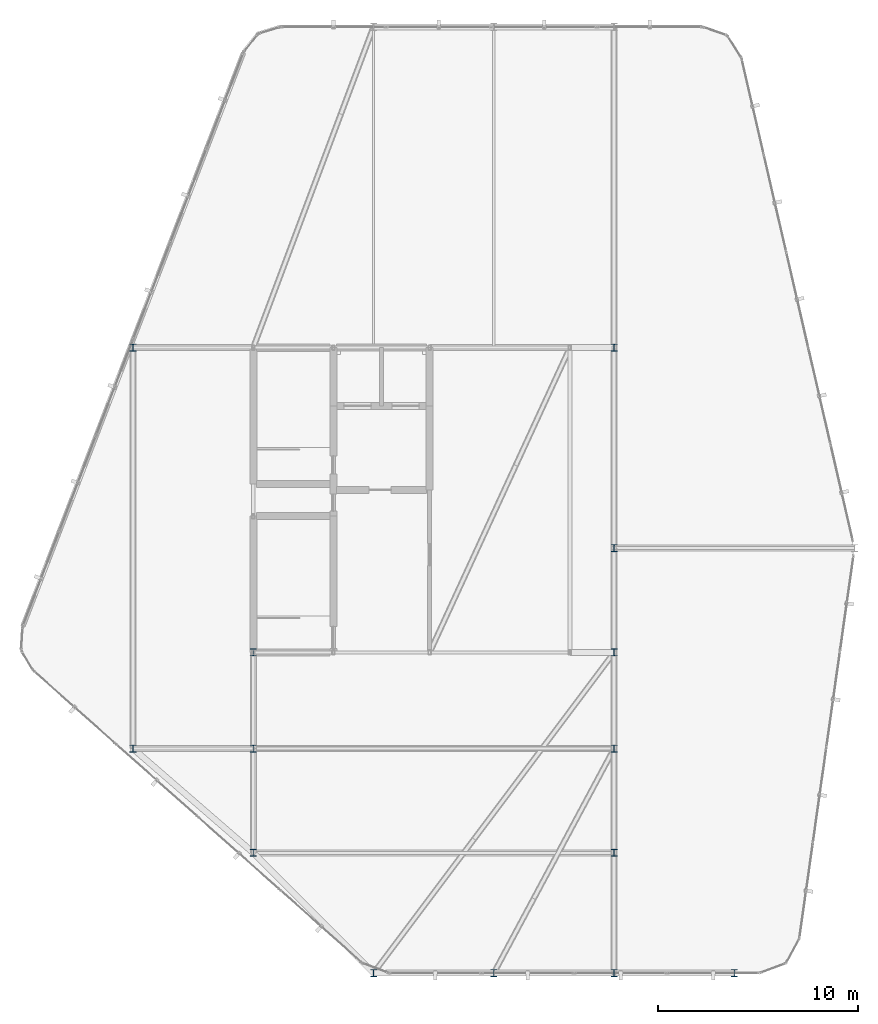
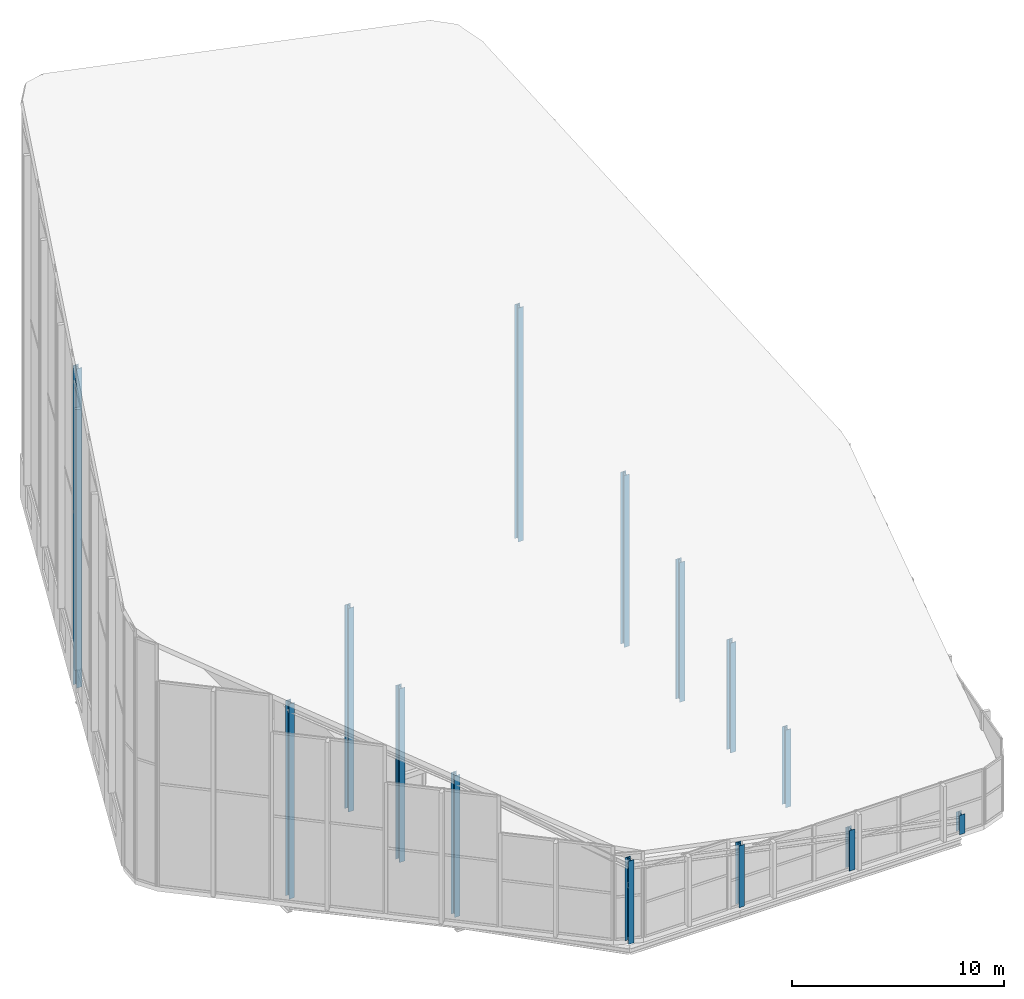
# One storey, part 1 of 74: 14 columns.
"""IFC4 building model written with IfcOpenShell, lengths in metres."""

from ifc_helpers import new_model, si_unit, direction, frame, origin, origin_2d, place, context, subcontext, project, spatial, i_section, extrude, material, material_profile, profile_set, type_object, element, save


model = new_model("IFC4")

# Units and contexts
model_context = context("Model", 3, precision=1e-05, world=origin(), true_north=direction((0.0, 1.0)))
body_context = subcontext(model_context, "Body", "Model", "MODEL_VIEW")
ifc_project = project(units=[si_unit("LENGTHUNIT", "METRE"), si_unit("AREAUNIT", "SQUARE_METRE"), si_unit("VOLUMEUNIT", "CUBIC_METRE"), si_unit("PLANEANGLEUNIT", "RADIAN"), si_unit("MASSUNIT", "GRAM", prefix="KILO")], contexts=[model_context])

# Site, building, storey
site_placement = place(None, origin())
site = spatial("IfcSite", under=ifc_project, at=site_placement, CompositionType="ELEMENT")
building_placement = place(site_placement, origin())
building = spatial("IfcBuilding", under=site, at=building_placement, Name="Keshet Zoharim Tower", CompositionType="ELEMENT")
storey_placement = place(building_placement, frame((0.0, 0.0, 320.0)))
storey = spatial("IfcBuildingStorey", under=building, at=storey_placement, Name="RF", CompositionType="ELEMENT", Elevation=320.0)

# Columns
ifc_material = material(Name="Steel S355", Category="steel")
ifc_material_profile = material_profile(ifc_material, i_section(OverallWidth=0.300048828125, OverallDepth=0.35009765625, WebThickness=0.010009765625, FlangeThickness=0.017578125, FilletRadius=0.027099609375, at=origin_2d()), Name="HEA360")
ifc_profile_set = profile_set([ifc_material_profile], Name="Steel S355")
column_type = type_object("IfcColumnType", Name="COL-HEA360", PredefinedType="COLUMN", material=ifc_profile_set)
column_1_placement = place(storey_placement, frame((9.0, 17.89990234375, 0.0), z_axis=(0.0, 0.0, 1.0), x_axis=(1.0, 0.0, 0.0)))
element("IfcColumn", 1, at=column_1_placement, inside=storey, type_object=column_type, Name="RF Column 2D", PredefinedType="COLUMN", context=body_context, shape_type="SweptSolid", body=[
    extrude(i_section(OverallWidth=0.300048828125, OverallDepth=0.35009765625, WebThickness=0.010009765625, FlangeThickness=0.017578125, FilletRadius=0.027099609375, at=origin_2d()), origin(), (0.0, 0.0, 1.0), 11.218017578125),
])
column_2_placement = place(storey_placement, frame((9.0, 37.89990234375, 0.0), z_axis=(0.0, 0.0, 1.0), x_axis=(1.0, 0.0, 0.0)))
element("IfcColumn", 2, at=column_2_placement, inside=storey, type_object=column_type, Name="RF Column 2H", PredefinedType="COLUMN", context=body_context, shape_type="SweptSolid", body=[
    extrude(i_section(OverallWidth=0.300048828125, OverallDepth=0.35009765625, WebThickness=0.010009765625, FlangeThickness=0.017578125, FilletRadius=0.027099609375, at=origin_2d()), origin(), (0.0, 0.0, 1.0), 18.34912109375),
])
column_3_placement = place(storey_placement, frame((15.0, 12.699951171875, 0.0), z_axis=(0.0, 0.0, 1.0), x_axis=(1.0, 0.0, 0.0)))
element("IfcColumn", 3, at=column_3_placement, inside=storey, type_object=column_type, Name="RF Column 3C", PredefinedType="COLUMN", context=body_context, shape_type="SweptSolid", body=[
    extrude(i_section(OverallWidth=0.300048828125, OverallDepth=0.35009765625, WebThickness=0.010009765625, FlangeThickness=0.017578125, FilletRadius=0.027099609375, at=origin_2d()), origin(), (0.0, 0.0, 1.0), 8.14013671875),
])
column_4_placement = place(storey_placement, frame((15.0, 17.89990234375, 0.0), z_axis=(0.0, 0.0, 1.0), x_axis=(1.0, 0.0, 0.0)))
element("IfcColumn", 4, at=column_4_placement, inside=storey, type_object=column_type, Name="RF Column 3D", PredefinedType="COLUMN", context=body_context, shape_type="SweptSolid", body=[
    extrude(i_section(OverallWidth=0.300048828125, OverallDepth=0.35009765625, WebThickness=0.010009765625, FlangeThickness=0.017578125, FilletRadius=0.027099609375, at=origin_2d()), origin(), (0.0, 0.0, 1.0), 9.994384765625),
])
column_5_placement = place(storey_placement, frame((15.0, 22.699951171875, 0.0), z_axis=(0.0, 0.0, 1.0), x_axis=(1.0, 0.0, 0.0)))
element("IfcColumn", 5, at=column_5_placement, inside=storey, type_object=column_type, Name="RF Column 3E", PredefinedType="COLUMN", context=body_context, shape_type="SweptSolid", body=[
    extrude(i_section(OverallWidth=0.300048828125, OverallDepth=0.35009765625, WebThickness=0.010009765625, FlangeThickness=0.017578125, FilletRadius=0.027099609375, at=origin_2d()), origin(), (0.0, 0.0, 1.0), 11.705810546875),
])
column_6_placement = place(storey_placement, frame((21.0, 6.699951171875, 0.0), z_axis=(0.0, 0.0, 1.0), x_axis=(1.0, 0.0, 0.0)))
element("IfcColumn", 6, at=column_6_placement, inside=storey, type_object=column_type, Name="RF Column 4B", PredefinedType="COLUMN", context=body_context, shape_type="SweptSolid", body=[
    extrude(i_section(OverallWidth=0.300048828125, OverallDepth=0.35009765625, WebThickness=0.010009765625, FlangeThickness=0.017578125, FilletRadius=0.027099609375, at=origin_2d()), origin(), (0.0, 0.0, 1.0), 4.777099609375),
])
column_7_placement = place(storey_placement, frame((27.0, 6.699951171875, 0.0), z_axis=(0.0, 0.0, 1.0), x_axis=(1.0, 0.0, 0.0)))
element("IfcColumn", 7, at=column_7_placement, inside=storey, type_object=column_type, Name="RF Column 5B", PredefinedType="COLUMN", context=body_context, shape_type="SweptSolid", body=[
    extrude(i_section(OverallWidth=0.300048828125, OverallDepth=0.35009765625, WebThickness=0.010009765625, FlangeThickness=0.017578125, FilletRadius=0.027099609375, at=origin_2d()), origin(), (0.0, 0.0, 1.0), 3.553466796875),
])
column_8_placement = place(storey_placement, frame((33.0, 6.699951171875, 0.0), z_axis=(0.0, 0.0, 1.0), x_axis=(1.0, 0.0, 0.0)))
element("IfcColumn", 8, at=column_8_placement, inside=storey, type_object=column_type, Name="RF Column 6B", PredefinedType="COLUMN", context=body_context, shape_type="SweptSolid", body=[
    extrude(i_section(OverallWidth=0.300048828125, OverallDepth=0.35009765625, WebThickness=0.010009765625, FlangeThickness=0.017578125, FilletRadius=0.027099609375, at=origin_2d()), origin(), (0.0, 0.0, 1.0), 2.32958984375),
])
column_9_placement = place(storey_placement, frame((33.0, 12.699951171875, 0.0), z_axis=(0.0, 0.0, 1.0), x_axis=(1.0, 0.0, 0.0)))
element("IfcColumn", 9, at=column_9_placement, inside=storey, type_object=column_type, Name="RF Column 6C", PredefinedType="COLUMN", context=body_context, shape_type="SweptSolid", body=[
    extrude(i_section(OverallWidth=0.300048828125, OverallDepth=0.35009765625, WebThickness=0.010009765625, FlangeThickness=0.017578125, FilletRadius=0.027099609375, at=origin_2d()), origin(), (0.0, 0.0, 1.0), 4.468994140625),
])
column_10_placement = place(storey_placement, frame((33.0, 17.89990234375, 0.0), z_axis=(0.0, 0.0, 1.0), x_axis=(1.0, 0.0, 0.0)))
element("IfcColumn", 10, at=column_10_placement, inside=storey, type_object=column_type, Name="RF Column 6D", PredefinedType="COLUMN", context=body_context, shape_type="SweptSolid", body=[
    extrude(i_section(OverallWidth=0.300048828125, OverallDepth=0.35009765625, WebThickness=0.010009765625, FlangeThickness=0.017578125, FilletRadius=0.027099609375, at=origin_2d()), origin(), (0.0, 0.0, 1.0), 6.322998046875),
])
column_11_placement = place(storey_placement, frame((33.0, 22.699951171875, 0.0), z_axis=(0.0, 0.0, 1.0), x_axis=(1.0, 0.0, 0.0)))
element("IfcColumn", 11, at=column_11_placement, inside=storey, type_object=column_type, Name="RF Column 6E", PredefinedType="COLUMN", context=body_context, shape_type="SweptSolid", body=[
    extrude(i_section(OverallWidth=0.300048828125, OverallDepth=0.35009765625, WebThickness=0.010009765625, FlangeThickness=0.017578125, FilletRadius=0.027099609375, at=origin_2d()), origin(), (0.0, 0.0, 1.0), 8.034423828125),
])
column_12_placement = place(storey_placement, frame((33.0, 27.89990234375, 0.0), z_axis=(0.0, 0.0, 1.0), x_axis=(1.0, 0.0, 0.0)))
element("IfcColumn", 12, at=column_12_placement, inside=storey, type_object=column_type, Name="RF Column 6F", PredefinedType="COLUMN", context=body_context, shape_type="SweptSolid", body=[
    extrude(i_section(OverallWidth=0.300048828125, OverallDepth=0.35009765625, WebThickness=0.010009765625, FlangeThickness=0.017578125, FilletRadius=0.027099609375, at=origin_2d()), origin(), (0.0, 0.0, 1.0), 9.888427734375),
])
column_13_placement = place(storey_placement, frame((33.0, 37.89990234375, 0.0), z_axis=(0.0, 0.0, 1.0), x_axis=(1.0, 0.0, 0.0)))
element("IfcColumn", 13, at=column_13_placement, inside=storey, type_object=column_type, Name="RF Column 6H", PredefinedType="COLUMN", context=body_context, shape_type="SweptSolid", body=[
    extrude(i_section(OverallWidth=0.300048828125, OverallDepth=0.35009765625, WebThickness=0.010009765625, FlangeThickness=0.017578125, FilletRadius=0.027099609375, at=origin_2d()), origin(), (0.0, 0.0, 1.0), 13.4541015625),
])
column_14_placement = place(storey_placement, frame((39.0, 6.699951171875, 0.0), z_axis=(0.0, 0.0, 1.0), x_axis=(1.0, 0.0, 0.0)))
element("IfcColumn", 14, at=column_14_placement, inside=storey, type_object=column_type, Name="RF Column 7B", PredefinedType="COLUMN", context=body_context, shape_type="SweptSolid", body=[
    extrude(i_section(OverallWidth=0.300048828125, OverallDepth=0.35009765625, WebThickness=0.010009765625, FlangeThickness=0.017578125, FilletRadius=0.027099609375, at=origin_2d()), origin(), (0.0, 0.0, 1.0), 1.10595703125),
])

save(model, "model.ifc")
